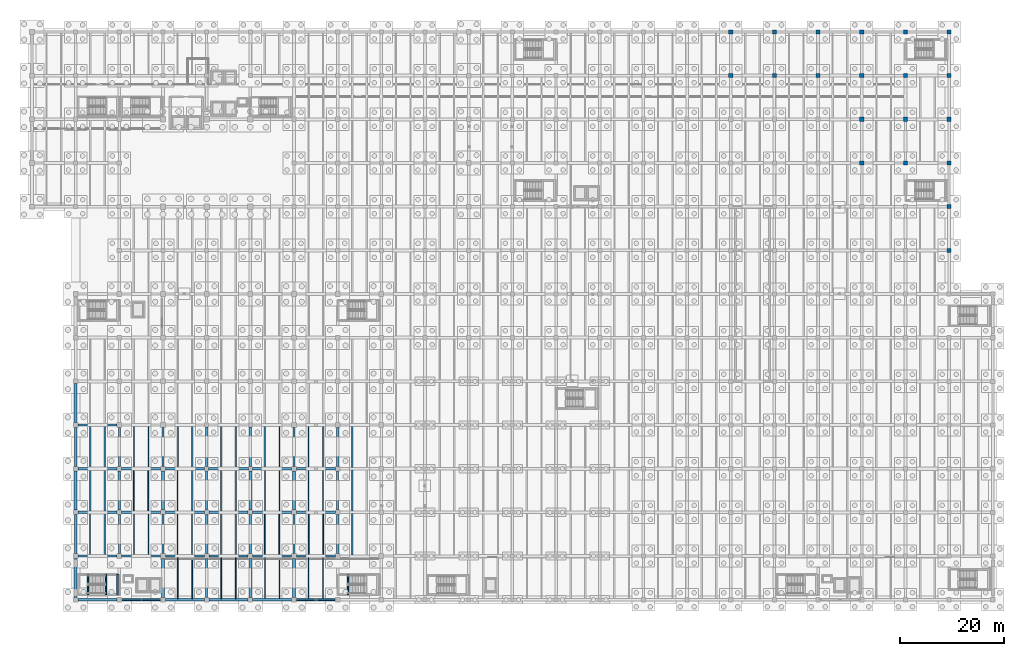
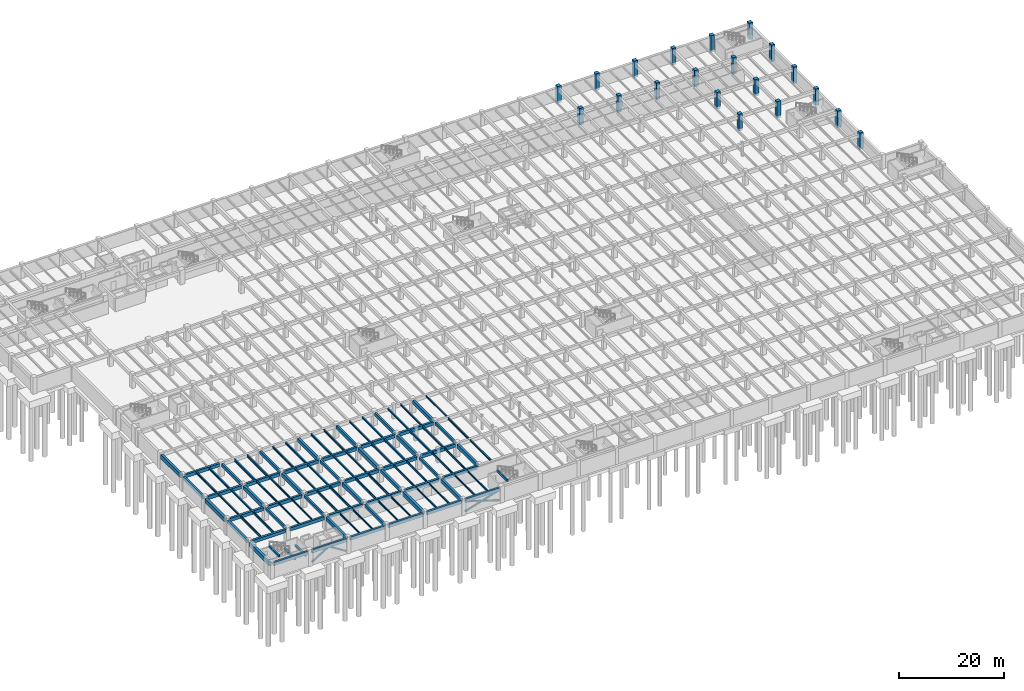
# One storey, part 24 of 70: 103 beams, 20 columns, 5 members.
"""IFC4 building model written with IfcOpenShell, lengths in metres."""

from ifc_helpers import new_model, si_unit, direction, frame, origin, origin_2d, place, context, subcontext, project, spatial, rectangle, hollow_rectangle, i_section, extrude, material, material_profile, profile_set, type_object, element, save


model = new_model("IFC4")

# Units and contexts
model_context = context("Model", 3, precision=1e-05, world=origin(), true_north=direction((0.0, 1.0)))
body_context = subcontext(model_context, "Body", "Model", "MODEL_VIEW")
ifc_project = project(units=[si_unit("LENGTHUNIT", "METRE"), si_unit("AREAUNIT", "SQUARE_METRE"), si_unit("VOLUMEUNIT", "CUBIC_METRE"), si_unit("PLANEANGLEUNIT", "RADIAN"), si_unit("MASSUNIT", "GRAM", prefix="KILO")], contexts=[model_context])

# Site, building, storey
site_placement = place(None, origin())
site = spatial("IfcSite", under=ifc_project, at=site_placement, CompositionType="ELEMENT")
building_placement = place(site_placement, origin())
building = spatial("IfcBuilding", under=site, at=building_placement, Name="Cumbredor Promenade Congress Hotel", CompositionType="ELEMENT")
storey_placement = place(building_placement, frame((0.0, 0.0, -7.56005859375)))
storey = spatial("IfcBuildingStorey", under=building, at=storey_placement, Name="B02", CompositionType="ELEMENT", Elevation=-7.56005859375)

# Columns
ifc_material_1 = material(Name="Concrete C50/60", Category="concrete")
ifc_material_profile_1 = material_profile(ifc_material_1, rectangle(XDim=0.800048828125, YDim=0.800048828125, at=origin_2d()), Name="RC 800x800")
ifc_profile_set_1 = profile_set([ifc_material_profile_1], Name="Concrete C50/60")
column_type = type_object("IfcColumnType", Name="COL-RC-800", PredefinedType="COLUMN", material=ifc_profile_set_1)
for number, where, z_axis, x_axis, name in (
    (1, (134.39990234375, 109.199951171875, -0.5), (0.0, 0.0, 1.0), (1.0, 0.0, 0.0), "B02 Structural Column 224"),
    (2, (134.39990234375, 117.60009765625, -0.5), (0.0, 0.0, 1.0), (1.0, 0.0, 0.0), "B02 Structural Column 225"),
    (3, (142.800048828125, 109.199951171875, -0.5), (0.0, 0.0, 1.0), (1.0, 0.0, 0.0), "B02 Structural Column 238"),
    (4, (142.800048828125, 117.60009765625, -0.5), (0.0, 0.0, 1.0), (1.0, 0.0, 0.0), "B02 Structural Column 239"),
    (5, (151.199951171875, 109.199951171875, -0.5), (0.0, 0.0, 1.0), (1.0, 0.0, 0.0), "B02 Structural Column 252"),
    (6, (151.199951171875, 117.60009765625, -0.5), (0.0, 0.0, 1.0), (1.0, 0.0, 0.0), "B02 Structural Column 253"),
    (7, (159.60009765625, 92.39990234375, -0.5), (0.0, 0.0, 1.0), (1.0, 0.0, 0.0), "B02 Structural Column 264"),
    (8, (159.60009765625, 100.800048828125, -0.5), (0.0, 0.0, 1.0), (1.0, 0.0, 0.0), "B02 Structural Column 265"),
    (9, (159.60009765625, 109.199951171875, -0.5), (0.0, 0.0, 1.0), (1.0, 0.0, 0.0), "B02 Structural Column 266"),
    (10, (159.60009765625, 117.60009765625, -0.5), (0.0, 0.0, 1.0), (1.0, 0.0, 0.0), "B02 Structural Column 267"),
    (11, (168.0, 92.39990234375, -0.5), (0.0, 0.0, 1.0), (1.0, 0.0, 0.0), "B02 Structural Column 278"),
    (12, (168.0, 100.800048828125, -0.5), (0.0, 0.0, 1.0), (1.0, 0.0, 0.0), "B02 Structural Column 279"),
    (13, (168.0, 109.199951171875, -0.5), (0.0, 0.0, 1.0), (1.0, 0.0, 0.0), "B02 Structural Column 280"),
    (14, (168.0, 117.60009765625, -0.5), (0.0, 0.0, 1.0), (1.0, 0.0, 0.0), "B02 Structural Column 281"),
    (15, (176.39990234375, 75.60009765625, -0.5), (0.0, 0.0, 1.0), (1.0, 0.0, 0.0), "B02 Structural Column 290"),
    (16, (176.39990234375, 84.0, -0.5), (0.0, 0.0, 1.0), (1.0, 0.0, 0.0), "B02 Structural Column 291"),
    (17, (176.39990234375, 92.39990234375, -0.5), (0.0, 0.0, 1.0), (1.0, 0.0, 0.0), "B02 Structural Column 292"),
    (18, (176.39990234375, 100.800048828125, -0.5), (0.0, 0.0, 1.0), (1.0, 0.0, 0.0), "B02 Structural Column 293"),
    (19, (176.39990234375, 109.199951171875, -0.5), (0.0, 0.0, 1.0), (1.0, 0.0, 0.0), "B02 Structural Column 294"),
    (20, (176.39990234375, 117.60009765625, -0.5), (0.0, 0.0, 1.0), (1.0, 0.0, 0.0), "B02 Structural Column 295"),
):
    element("IfcColumn", number, at=place(storey_placement, frame(where, z_axis=z_axis, x_axis=x_axis)), inside=storey, type_object=column_type, Name=name, PredefinedType="COLUMN", context=body_context, shape_type="SweptSolid", body=[
        extrude(rectangle(XDim=0.800048828125, YDim=0.800048828125, at=origin_2d()), origin(), (0.0, 0.0, 1.0), 3.860107421875),
    ])

# Beams
ifc_material_2 = material(Name="Concrete C40/50", Category="concrete")
ifc_material_profile_2 = material_profile(ifc_material_2, rectangle(XDim=0.39990234375, YDim=0.64990234375, at=origin_2d()), Name="RC BEAM 400x650")
ifc_profile_set_2 = profile_set([ifc_material_profile_2], Name="Concrete C40/50")
beam_type_1 = type_object("IfcBeamType", Name="BM-RC-400x650", PredefinedType="BEAM", material=ifc_profile_set_2)
for number, where, z_axis, x_axis, name in (
    (21, (16.800048828125, 17.25, 2.635009765625), (0.0, 1.0, 0.0), (-1.0, 0.0, 0.0), "B01 Y-Grid Beam 036"),
    (22, (16.800048828125, 34.050048828125, 2.635009765625), (0.0, 1.0, 0.0), (-1.0, 0.0, 0.0), "B01 Y-Grid Beam 040"),
    (23, (25.199951171875, 17.25, 2.635009765625), (0.0, 1.0, 0.0), (-1.0, 0.0, 0.0), "B01 Y-Grid Beam 060"),
    (24, (25.199951171875, 34.050048828125, 2.635009765625), (0.0, 1.0, 0.0), (-1.0, 0.0, 0.0), "B01 Y-Grid Beam 064"),
    (25, (33.60009765625, 8.85009765625, 2.635009765625), (0.0, 1.0, 0.0), (-1.0, 0.0, 0.0), "B01 Y-Grid Beam 080"),
):
    element("IfcBeam", number, at=place(storey_placement, frame(where, z_axis=z_axis, x_axis=x_axis)), inside=storey, type_object=beam_type_1, Name=name, PredefinedType="BEAM", context=body_context, shape_type="SweptSolid", body=[
        extrude(rectangle(XDim=0.39990234375, YDim=0.64990234375, at=origin_2d()), origin(), (0.0, 0.0, 1.0), 7.5),
    ])
beam_1_placement = place(storey_placement, frame((33.60009765625, 25.64990234375, 2.635009765625), z_axis=(0.0, 1.0, 0.0), x_axis=(-1.0, 0.0, 0.0)))
element("IfcBeam", 26, at=beam_1_placement, inside=storey, type_object=beam_type_1, Name="B01 Y-Grid Beam 084", PredefinedType="BEAM", context=body_context, shape_type="SweptSolid", body=[
    extrude(rectangle(XDim=0.39990234375, YDim=0.64990234375, at=origin_2d()), origin(), (0.0, 0.0, 1.0), 7.550048828125),
])
for number, where, z_axis, x_axis, name in (
    (27, (50.39990234375, 17.25, 2.635009765625), (0.0, 1.0, 0.0), (-1.0, 0.0, 0.0), "B01 Y-Grid Beam 128"),
    (28, (50.39990234375, 34.050048828125, 2.635009765625), (0.0, 1.0, 0.0), (-1.0, 0.0, 0.0), "B01 Y-Grid Beam 132"),
    (29, (58.800048828125, 25.64990234375, 2.635009765625), (0.0, 1.0, 0.0), (-1.0, 0.0, 0.0), "B01 Y-Grid Beam 156"),
):
    element("IfcBeam", number, at=place(storey_placement, frame(where, z_axis=z_axis, x_axis=x_axis)), inside=storey, type_object=beam_type_1, Name=name, PredefinedType="BEAM", context=body_context, shape_type="SweptSolid", body=[
        extrude(rectangle(XDim=0.39990234375, YDim=0.64990234375, at=origin_2d()), origin(), (0.0, 0.0, 1.0), 7.5),
    ])
ifc_material_profile_3 = material_profile(ifc_material_2, rectangle(XDim=0.449951171875, YDim=0.75, at=origin_2d()), Name="RC BEAM 450x750")
ifc_profile_set_3 = profile_set([ifc_material_profile_3], Name="Concrete C40/50")
beam_type_2 = type_object("IfcBeamType", Name="BM-RC-450x750", PredefinedType="BEAM", material=ifc_profile_set_3)
for number, where, z_axis, x_axis, name in (
    (30, (8.85009765625, 8.39990234375, 2.5849609375), (1.0, 0.0, 0.0), (0.0, 1.0, 0.0), "B01 X-Grid Beam 010"),
    (31, (8.85009765625, 16.800048828125, 2.5849609375), (1.0, 0.0, 0.0), (0.0, 1.0, 0.0), "B01 X-Grid Beam 012"),
    (32, (8.39990234375, 17.25, 2.5849609375), (0.0, 1.0, 0.0), (-1.0, 0.0, 0.0), "B01 Y-Grid Beam 013"),
    (33, (8.85009765625, 25.199951171875, 2.5849609375), (1.0, 0.0, 0.0), (0.0, 1.0, 0.0), "B01 X-Grid Beam 014"),
    (34, (8.85009765625, 33.60009765625, 2.5849609375), (1.0, 0.0, 0.0), (0.0, 1.0, 0.0), "B01 X-Grid Beam 016"),
    (35, (8.39990234375, 34.050048828125, 2.5849609375), (0.0, 1.0, 0.0), (-1.0, 0.0, 0.0), "B01 Y-Grid Beam 017"),
    (36, (8.85009765625, 42.0, 2.5849609375), (1.0, 0.0, 0.0), (0.0, 1.0, 0.0), "B01 X-Grid Beam 018"),
    (37, (17.25, 8.39990234375, 2.5849609375), (1.0, 0.0, 0.0), (0.0, 1.0, 0.0), "B01 X-Grid Beam 034"),
    (38, (17.25, 16.800048828125, 2.5849609375), (1.0, 0.0, 0.0), (0.0, 1.0, 0.0), "B01 X-Grid Beam 035"),
    (39, (17.25, 25.199951171875, 2.5849609375), (1.0, 0.0, 0.0), (0.0, 1.0, 0.0), "B01 X-Grid Beam 037"),
    (40, (17.25, 33.60009765625, 2.5849609375), (1.0, 0.0, 0.0), (0.0, 1.0, 0.0), "B01 X-Grid Beam 039"),
    (41, (25.64990234375, 8.39990234375, 2.5849609375), (1.0, 0.0, 0.0), (0.0, 1.0, 0.0), "B01 X-Grid Beam 057"),
    (42, (25.64990234375, 16.800048828125, 2.5849609375), (1.0, 0.0, 0.0), (0.0, 1.0, 0.0), "B01 X-Grid Beam 059"),
    (43, (25.64990234375, 25.199951171875, 2.5849609375), (1.0, 0.0, 0.0), (0.0, 1.0, 0.0), "B01 X-Grid Beam 061"),
):
    element("IfcBeam", number, at=place(storey_placement, frame(where, z_axis=z_axis, x_axis=x_axis)), inside=storey, type_object=beam_type_2, Name=name, PredefinedType="BEAM", context=body_context, shape_type="SweptSolid", body=[
        extrude(rectangle(XDim=0.449951171875, YDim=0.75, at=origin_2d()), origin(), (0.0, 0.0, 1.0), 7.5),
    ])
beam_2_placement = place(storey_placement, frame((25.64990234375, 33.60009765625, 2.5849609375), z_axis=(1.0, 0.0, 0.0), x_axis=(0.0, 1.0, 0.0)))
element("IfcBeam", 44, at=beam_2_placement, inside=storey, type_object=beam_type_2, Name="B01 X-Grid Beam 063", PredefinedType="BEAM", context=body_context, shape_type="SweptSolid", body=[
    extrude(rectangle(XDim=0.449951171875, YDim=0.75, at=origin_2d()), origin(), (0.0, 0.0, 1.0), 7.550048828125),
])
for number, where, z_axis, x_axis, name in (
    (45, (34.050048828125, 8.39990234375, 2.5849609375), (1.0, 0.0, 0.0), (0.0, 1.0, 0.0), "B01 X-Grid Beam 079"),
    (46, (34.050048828125, 16.800048828125, 2.5849609375), (1.0, 0.0, 0.0), (0.0, 1.0, 0.0), "B01 X-Grid Beam 081"),
    (47, (34.050048828125, 25.199951171875, 2.5849609375), (1.0, 0.0, 0.0), (0.0, 1.0, 0.0), "B01 X-Grid Beam 083"),
):
    element("IfcBeam", number, at=place(storey_placement, frame(where, z_axis=z_axis, x_axis=x_axis)), inside=storey, type_object=beam_type_2, Name=name, PredefinedType="BEAM", context=body_context, shape_type="SweptSolid", body=[
        extrude(rectangle(XDim=0.449951171875, YDim=0.75, at=origin_2d()), origin(), (0.0, 0.0, 1.0), 7.5),
    ])
beam_3_placement = place(storey_placement, frame((34.0, 33.60009765625, 2.5849609375), z_axis=(1.0, 0.0, 0.0), x_axis=(0.0, 1.0, 0.0)))
element("IfcBeam", 48, at=beam_3_placement, inside=storey, type_object=beam_type_2, Name="B01 X-Grid Beam 085", PredefinedType="BEAM", context=body_context, shape_type="SweptSolid", body=[
    extrude(rectangle(XDim=0.449951171875, YDim=0.75, at=origin_2d()), origin(), (0.0, 0.0, 1.0), 7.60009765625),
])
for number, where, z_axis, x_axis, name in (
    (49, (42.449951171875, 8.39990234375, 2.5849609375), (1.0, 0.0, 0.0), (0.0, 1.0, 0.0), "B01 X-Grid Beam 102"),
    (50, (42.449951171875, 16.800048828125, 2.5849609375), (1.0, 0.0, 0.0), (0.0, 1.0, 0.0), "B01 X-Grid Beam 104"),
    (51, (42.0, 17.25, 2.5849609375), (0.0, 1.0, 0.0), (-1.0, 0.0, 0.0), "B01 Y-Grid Beam 105"),
    (52, (42.449951171875, 25.199951171875, 2.5849609375), (1.0, 0.0, 0.0), (0.0, 1.0, 0.0), "B01 X-Grid Beam 106"),
):
    element("IfcBeam", number, at=place(storey_placement, frame(where, z_axis=z_axis, x_axis=x_axis)), inside=storey, type_object=beam_type_2, Name=name, PredefinedType="BEAM", context=body_context, shape_type="SweptSolid", body=[
        extrude(rectangle(XDim=0.449951171875, YDim=0.75, at=origin_2d()), origin(), (0.0, 0.0, 1.0), 7.5),
    ])
beam_4_placement = place(storey_placement, frame((42.39990234375, 33.60009765625, 2.5849609375), z_axis=(1.0, 0.0, 0.0), x_axis=(0.0, 1.0, 0.0)))
element("IfcBeam", 53, at=beam_4_placement, inside=storey, type_object=beam_type_2, Name="B01 X-Grid Beam 108", PredefinedType="BEAM", context=body_context, shape_type="SweptSolid", body=[
    extrude(rectangle(XDim=0.449951171875, YDim=0.75, at=origin_2d()), origin(), (0.0, 0.0, 1.0), 7.550048828125),
])
beam_5_placement = place(storey_placement, frame((42.0, 34.0, 2.5849609375), z_axis=(0.0, 1.0, 0.0), x_axis=(-1.0, 0.0, 0.0)))
element("IfcBeam", 54, at=beam_5_placement, inside=storey, type_object=beam_type_2, Name="B01 Y-Grid Beam 109", PredefinedType="BEAM", context=body_context, shape_type="SweptSolid", body=[
    extrude(rectangle(XDim=0.449951171875, YDim=0.75, at=origin_2d()), origin(), (0.0, 0.0, 1.0), 7.60009765625),
])
for number, where, z_axis, x_axis, name in (
    (55, (50.85009765625, 8.39990234375, 2.5849609375), (1.0, 0.0, 0.0), (0.0, 1.0, 0.0), "B01 X-Grid Beam 125"),
    (56, (50.85009765625, 16.800048828125, 2.5849609375), (1.0, 0.0, 0.0), (0.0, 1.0, 0.0), "B01 X-Grid Beam 127"),
    (57, (50.85009765625, 25.199951171875, 2.5849609375), (1.0, 0.0, 0.0), (0.0, 1.0, 0.0), "B01 X-Grid Beam 129"),
    (58, (50.85009765625, 33.60009765625, 2.5849609375), (1.0, 0.0, 0.0), (0.0, 1.0, 0.0), "B01 X-Grid Beam 131"),
):
    element("IfcBeam", number, at=place(storey_placement, frame(where, z_axis=z_axis, x_axis=x_axis)), inside=storey, type_object=beam_type_2, Name=name, PredefinedType="BEAM", context=body_context, shape_type="SweptSolid", body=[
        extrude(rectangle(XDim=0.449951171875, YDim=0.75, at=origin_2d()), origin(), (0.0, 0.0, 1.0), 7.5),
    ])
ifc_material_profile_4 = material_profile(ifc_material_2, rectangle(XDim=0.5, YDim=0.85009765625, at=origin_2d()), Name="RC BEAM 500x850")
ifc_profile_set_4 = profile_set([ifc_material_profile_4], Name="Concrete C40/50")
beam_type_3 = type_object("IfcBeamType", Name="BM-RC-500x850", PredefinedType="BEAM", material=ifc_profile_set_4)
for number, where, z_axis, x_axis, name in (
    (59, (16.800048828125, 25.64990234375, 2.53515625), (0.0, 1.0, 0.0), (-1.0, 0.0, 0.0), "B01 Y-Grid Beam 038"),
    (60, (25.199951171875, 8.85009765625, 2.53515625), (0.0, 1.0, 0.0), (-1.0, 0.0, 0.0), "B01 Y-Grid Beam 058"),
    (61, (25.199951171875, 25.64990234375, 2.53515625), (0.0, 1.0, 0.0), (-1.0, 0.0, 0.0), "B01 Y-Grid Beam 062"),
    (62, (33.60009765625, 17.25, 2.53515625), (0.0, 1.0, 0.0), (-1.0, 0.0, 0.0), "B01 Y-Grid Beam 082"),
):
    element("IfcBeam", number, at=place(storey_placement, frame(where, z_axis=z_axis, x_axis=x_axis)), inside=storey, type_object=beam_type_3, Name=name, PredefinedType="BEAM", context=body_context, shape_type="SweptSolid", body=[
        extrude(rectangle(XDim=0.5, YDim=0.85009765625, at=origin_2d()), origin(), (0.0, 0.0, 1.0), 7.5),
    ])
beam_6_placement = place(storey_placement, frame((33.60009765625, 34.0, 2.53515625), z_axis=(0.0, 1.0, 0.0), x_axis=(-1.0, 0.0, 0.0)))
element("IfcBeam", 63, at=beam_6_placement, inside=storey, type_object=beam_type_3, Name="B01 Y-Grid Beam 086", PredefinedType="BEAM", context=body_context, shape_type="SweptSolid", body=[
    extrude(rectangle(XDim=0.5, YDim=0.85009765625, at=origin_2d()), origin(), (0.0, 0.0, 1.0), 7.60009765625),
])
for number, where, z_axis, x_axis, name in (
    (64, (50.39990234375, 8.85009765625, 2.53515625), (0.0, 1.0, 0.0), (-1.0, 0.0, 0.0), "B01 Y-Grid Beam 126"),
    (65, (50.39990234375, 25.64990234375, 2.53515625), (0.0, 1.0, 0.0), (-1.0, 0.0, 0.0), "B01 Y-Grid Beam 130"),
    (66, (58.800048828125, 17.25, 2.53515625), (0.0, 1.0, 0.0), (-1.0, 0.0, 0.0), "B01 Y-Grid Beam 154"),
    (67, (58.800048828125, 34.050048828125, 2.53515625), (0.0, 1.0, 0.0), (-1.0, 0.0, 0.0), "B01 Y-Grid Beam 158"),
):
    element("IfcBeam", number, at=place(storey_placement, frame(where, z_axis=z_axis, x_axis=x_axis)), inside=storey, type_object=beam_type_3, Name=name, PredefinedType="BEAM", context=body_context, shape_type="SweptSolid", body=[
        extrude(rectangle(XDim=0.5, YDim=0.85009765625, at=origin_2d()), origin(), (0.0, 0.0, 1.0), 7.5),
    ])
ifc_material_profile_5 = material_profile(ifc_material_2, rectangle(XDim=0.550048828125, YDim=0.949951171875, at=origin_2d()), Name="RC BEAM 550x950")
ifc_profile_set_5 = profile_set([ifc_material_profile_5], Name="Concrete C40/50")
beam_type_4 = type_object("IfcBeamType", Name="BM-RC-550x950", PredefinedType="BEAM", material=ifc_profile_set_5)
for number, where, z_axis, x_axis, name in (
    (68, (8.39990234375, 8.85009765625, 2.485107421875), (0.0, 1.0, 0.0), (-1.0, 0.0, 0.0), "B01 Y-Grid Beam 011"),
    (69, (8.39990234375, 25.64990234375, 2.485107421875), (0.0, 1.0, 0.0), (-1.0, 0.0, 0.0), "B01 Y-Grid Beam 015"),
    (70, (8.39990234375, 42.449951171875, 2.485107421875), (0.0, 1.0, 0.0), (-1.0, 0.0, 0.0), "B01 Y-Grid Beam 019"),
    (71, (42.0, 8.85009765625, 2.485107421875), (0.0, 1.0, 0.0), (-1.0, 0.0, 0.0), "B01 Y-Grid Beam 103"),
):
    element("IfcBeam", number, at=place(storey_placement, frame(where, z_axis=z_axis, x_axis=x_axis)), inside=storey, type_object=beam_type_4, Name=name, PredefinedType="BEAM", context=body_context, shape_type="SweptSolid", body=[
        extrude(rectangle(XDim=0.550048828125, YDim=0.949951171875, at=origin_2d()), origin(), (0.0, 0.0, 1.0), 7.5),
    ])
beam_7_placement = place(storey_placement, frame((42.0, 25.64990234375, 2.485107421875), z_axis=(0.0, 1.0, 0.0), x_axis=(-1.0, 0.0, 0.0)))
element("IfcBeam", 72, at=beam_7_placement, inside=storey, type_object=beam_type_4, Name="B01 Y-Grid Beam 107", PredefinedType="BEAM", context=body_context, shape_type="SweptSolid", body=[
    extrude(rectangle(XDim=0.550048828125, YDim=0.949951171875, at=origin_2d()), origin(), (0.0, 0.0, 1.0), 7.550048828125),
])
ifc_material_3 = material(Name="Steel ASTM A992 Grade 50", Category="steel")
ifc_material_profile_6 = material_profile(ifc_material_3, i_section(OverallWidth=0.202880859375, OverallDepth=0.302978515625, WebThickness=0.007568359375, FlangeThickness=0.01318359375, at=origin_2d()), Name="W12X40")
ifc_profile_set_6 = profile_set([ifc_material_profile_6], Name="Steel ASTM A992 Grade 50")
beam_type_5 = type_object("IfcBeamType", Name="JST-W12X40", PredefinedType="JOIST", material=ifc_profile_set_6)
for number, where, z_axis, x_axis, name in (
    (73, (19.60009765625, 17.02490234375, 2.80859375), (0.0, 1.0, 0.0), (-1.0, 0.0, 0.0), "B01 Secondary Floor Joist 0025"),
    (74, (22.39990234375, 17.02490234375, 2.80859375), (0.0, 1.0, 0.0), (-1.0, 0.0, 0.0), "B01 Secondary Floor Joist 0026"),
):
    element("IfcBeam", number, at=place(storey_placement, frame(where, z_axis=z_axis, x_axis=x_axis)), inside=storey, type_object=beam_type_5, Name=name, PredefinedType="JOIST", context=body_context, shape_type="SweptSolid", body=[
        extrude(i_section(OverallWidth=0.202880859375, OverallDepth=0.302978515625, WebThickness=0.007568359375, FlangeThickness=0.01318359375, at=origin_2d()), origin(), (0.0, 0.0, 1.0), 7.9501953125),
    ])
for number, where, z_axis, x_axis, name in (
    (75, (44.800048828125, 8.625, 2.80859375), (0.0, 1.0, 0.0), (-1.0, 0.0, 0.0), "B01 Secondary Floor Joist 0080"),
    (76, (47.60009765625, 8.625, 2.80859375), (0.0, 1.0, 0.0), (-1.0, 0.0, 0.0), "B01 Secondary Floor Joist 0081"),
    (77, (53.199951171875, 8.625, 2.80859375), (0.0, 1.0, 0.0), (-1.0, 0.0, 0.0), "B01 Secondary Floor Joist 0100"),
    (78, (56.0, 8.625, 2.80859375), (0.0, 1.0, 0.0), (-1.0, 0.0, 0.0), "B01 Secondary Floor Joist 0101"),
    (79, (61.60009765625, 33.824951171875, 2.80859375), (0.0, 1.0, 0.0), (-1.0, 0.0, 0.0), "B01 Secondary Floor Joist 0130"),
):
    element("IfcBeam", number, at=place(storey_placement, frame(where, z_axis=z_axis, x_axis=x_axis)), inside=storey, type_object=beam_type_5, Name=name, PredefinedType="JOIST", context=body_context, shape_type="SweptSolid", body=[
        extrude(i_section(OverallWidth=0.202880859375, OverallDepth=0.302978515625, WebThickness=0.007568359375, FlangeThickness=0.01318359375, at=origin_2d()), origin(), (0.0, 0.0, 1.0), 7.949951171875),
    ])
ifc_material_profile_7 = material_profile(ifc_material_3, i_section(OverallWidth=0.2548828125, OverallDepth=0.35693359375, WebThickness=0.010498046875, FlangeThickness=0.018310546875, at=origin_2d()), Name="W14X68")
ifc_profile_set_7 = profile_set([ifc_material_profile_7], Name="Steel ASTM A992 Grade 50")
beam_type_6 = type_object("IfcBeamType", Name="JST-W14X68", PredefinedType="JOIST", material=ifc_profile_set_7)
for number, where, z_axis, x_axis, name in (
    (80, (11.199951171875, 25.425048828125, 2.781494140625), (0.0, 1.0, 0.0), (-1.0, 0.0, 0.0), "B01 Secondary Floor Joist 0011"),
    (81, (14.0, 25.425048828125, 2.781494140625), (0.0, 1.0, 0.0), (-1.0, 0.0, 0.0), "B01 Secondary Floor Joist 0012"),
    (82, (28.0, 25.425048828125, 2.781494140625), (0.0, 1.0, 0.0), (-1.0, 0.0, 0.0), "B01 Secondary Floor Joist 0046"),
    (83, (30.800048828125, 25.425048828125, 2.781494140625), (0.0, 1.0, 0.0), (-1.0, 0.0, 0.0), "B01 Secondary Floor Joist 0047"),
    (84, (36.39990234375, 25.425048828125, 2.781494140625), (0.0, 1.0, 0.0), (-1.0, 0.0, 0.0), "B01 Secondary Floor Joist 0066"),
    (85, (39.199951171875, 25.425048828125, 2.781494140625), (0.0, 1.0, 0.0), (-1.0, 0.0, 0.0), "B01 Secondary Floor Joist 0067"),
    (86, (44.800048828125, 33.824951171875, 2.781494140625), (0.0, 1.0, 0.0), (-1.0, 0.0, 0.0), "B01 Secondary Floor Joist 0086"),
    (87, (47.60009765625, 33.824951171875, 2.781494140625), (0.0, 1.0, 0.0), (-1.0, 0.0, 0.0), "B01 Secondary Floor Joist 0087"),
    (88, (53.199951171875, 33.824951171875, 2.781494140625), (0.0, 1.0, 0.0), (-1.0, 0.0, 0.0), "B01 Secondary Floor Joist 0106"),
    (89, (56.0, 33.824951171875, 2.781494140625), (0.0, 1.0, 0.0), (-1.0, 0.0, 0.0), "B01 Secondary Floor Joist 0107"),
):
    element("IfcBeam", number, at=place(storey_placement, frame(where, z_axis=z_axis, x_axis=x_axis)), inside=storey, type_object=beam_type_6, Name=name, PredefinedType="JOIST", context=body_context, shape_type="SweptSolid", body=[
        extrude(i_section(OverallWidth=0.2548828125, OverallDepth=0.35693359375, WebThickness=0.010498046875, FlangeThickness=0.018310546875, at=origin_2d()), origin(), (0.0, 0.0, 1.0), 7.949951171875),
    ])
beam_8_placement = place(storey_placement, frame((61.60009765625, 17.02490234375, 2.781494140625), z_axis=(0.0, 1.0, 0.0), x_axis=(-1.0, 0.0, 0.0)))
element("IfcBeam", 90, at=beam_8_placement, inside=storey, type_object=beam_type_6, Name="B01 Secondary Floor Joist 0126", PredefinedType="JOIST", context=body_context, shape_type="SweptSolid", body=[
    extrude(i_section(OverallWidth=0.2548828125, OverallDepth=0.35693359375, WebThickness=0.010498046875, FlangeThickness=0.018310546875, at=origin_2d()), origin(), (0.0, 0.0, 1.0), 7.9501953125),
])
ifc_material_profile_8 = material_profile(ifc_material_3, i_section(OverallWidth=0.180908203125, OverallDepth=0.4169921875, WebThickness=0.010986328125, FlangeThickness=0.018310546875, at=origin_2d()), Name="W16X57")
ifc_profile_set_8 = profile_set([ifc_material_profile_8], Name="Steel ASTM A992 Grade 50")
beam_type_7 = type_object("IfcBeamType", Name="JST-W16X57", PredefinedType="JOIST", material=ifc_profile_set_8)
for number, where, z_axis, x_axis, name in (
    (91, (19.60009765625, 25.425048828125, 2.75146484375), (0.0, 1.0, 0.0), (-1.0, 0.0, 0.0), "B01 Secondary Floor Joist 0027"),
    (92, (22.39990234375, 25.425048828125, 2.75146484375), (0.0, 1.0, 0.0), (-1.0, 0.0, 0.0), "B01 Secondary Floor Joist 0028"),
    (93, (28.0, 8.625, 2.75146484375), (0.0, 1.0, 0.0), (-1.0, 0.0, 0.0), "B01 Secondary Floor Joist 0042"),
    (94, (30.800048828125, 8.625, 2.75146484375), (0.0, 1.0, 0.0), (-1.0, 0.0, 0.0), "B01 Secondary Floor Joist 0043"),
    (95, (36.39990234375, 8.625, 2.75146484375), (0.0, 1.0, 0.0), (-1.0, 0.0, 0.0), "B01 Secondary Floor Joist 0062"),
    (96, (39.199951171875, 8.625, 2.75146484375), (0.0, 1.0, 0.0), (-1.0, 0.0, 0.0), "B01 Secondary Floor Joist 0063"),
):
    element("IfcBeam", number, at=place(storey_placement, frame(where, z_axis=z_axis, x_axis=x_axis)), inside=storey, type_object=beam_type_7, Name=name, PredefinedType="JOIST", context=body_context, shape_type="SweptSolid", body=[
        extrude(i_section(OverallWidth=0.180908203125, OverallDepth=0.4169921875, WebThickness=0.010986328125, FlangeThickness=0.018310546875, at=origin_2d()), origin(), (0.0, 0.0, 1.0), 7.949951171875),
    ])
for number, where, z_axis, x_axis, name in (
    (97, (44.800048828125, 17.02490234375, 2.75146484375), (0.0, 1.0, 0.0), (-1.0, 0.0, 0.0), "B01 Secondary Floor Joist 0082"),
    (98, (47.60009765625, 17.02490234375, 2.75146484375), (0.0, 1.0, 0.0), (-1.0, 0.0, 0.0), "B01 Secondary Floor Joist 0083"),
    (99, (53.199951171875, 17.02490234375, 2.75146484375), (0.0, 1.0, 0.0), (-1.0, 0.0, 0.0), "B01 Secondary Floor Joist 0102"),
    (100, (56.0, 17.02490234375, 2.75146484375), (0.0, 1.0, 0.0), (-1.0, 0.0, 0.0), "B01 Secondary Floor Joist 0103"),
):
    element("IfcBeam", number, at=place(storey_placement, frame(where, z_axis=z_axis, x_axis=x_axis)), inside=storey, type_object=beam_type_7, Name=name, PredefinedType="JOIST", context=body_context, shape_type="SweptSolid", body=[
        extrude(i_section(OverallWidth=0.180908203125, OverallDepth=0.4169921875, WebThickness=0.010986328125, FlangeThickness=0.018310546875, at=origin_2d()), origin(), (0.0, 0.0, 1.0), 7.9501953125),
    ])
ifc_material_profile_9 = material_profile(ifc_material_3, i_section(OverallWidth=0.280029296875, OverallDepth=0.462890625, WebThickness=0.0107421875, FlangeThickness=0.017333984375, at=origin_2d()), Name="W18X76")
ifc_profile_set_9 = profile_set([ifc_material_profile_9], Name="Steel ASTM A992 Grade 50")
beam_type_8 = type_object("IfcBeamType", Name="JST-W18X76", PredefinedType="JOIST", material=ifc_profile_set_9)
for number, where, z_axis, x_axis, name in (
    (101, (11.199951171875, 33.824951171875, 2.728515625), (0.0, 1.0, 0.0), (-1.0, 0.0, 0.0), "B01 Secondary Floor Joist 0013"),
    (102, (14.0, 33.824951171875, 2.728515625), (0.0, 1.0, 0.0), (-1.0, 0.0, 0.0), "B01 Secondary Floor Joist 0014"),
    (103, (28.0, 33.824951171875, 2.728515625), (0.0, 1.0, 0.0), (-1.0, 0.0, 0.0), "B01 Secondary Floor Joist 0048"),
    (104, (30.800048828125, 33.824951171875, 2.728515625), (0.0, 1.0, 0.0), (-1.0, 0.0, 0.0), "B01 Secondary Floor Joist 0049"),
    (105, (36.39990234375, 33.824951171875, 2.728515625), (0.0, 1.0, 0.0), (-1.0, 0.0, 0.0), "B01 Secondary Floor Joist 0068"),
    (106, (39.199951171875, 33.824951171875, 2.728515625), (0.0, 1.0, 0.0), (-1.0, 0.0, 0.0), "B01 Secondary Floor Joist 0069"),
    (107, (61.60009765625, 25.425048828125, 2.728515625), (0.0, 1.0, 0.0), (-1.0, 0.0, 0.0), "B01 Secondary Floor Joist 0128"),
):
    element("IfcBeam", number, at=place(storey_placement, frame(where, z_axis=z_axis, x_axis=x_axis)), inside=storey, type_object=beam_type_8, Name=name, PredefinedType="JOIST", context=body_context, shape_type="SweptSolid", body=[
        extrude(i_section(OverallWidth=0.280029296875, OverallDepth=0.462890625, WebThickness=0.0107421875, FlangeThickness=0.017333984375, at=origin_2d()), origin(), (0.0, 0.0, 1.0), 7.949951171875),
    ])
ifc_material_profile_10 = material_profile(ifc_material_3, i_section(OverallWidth=0.214111328125, OverallDepth=0.549072265625, WebThickness=0.0146484375, FlangeThickness=0.023681640625, at=origin_2d()), Name="W21X93")
ifc_profile_set_10 = profile_set([ifc_material_profile_10], Name="Steel ASTM A992 Grade 50")
beam_type_9 = type_object("IfcBeamType", Name="JST-W21X93", PredefinedType="JOIST", material=ifc_profile_set_10)
for number, where, z_axis, x_axis, name in (
    (108, (11.199951171875, 17.02490234375, 2.685546875), (0.0, 1.0, 0.0), (-1.0, 0.0, 0.0), "B01 Secondary Floor Joist 0009"),
    (109, (14.0, 17.02490234375, 2.685546875), (0.0, 1.0, 0.0), (-1.0, 0.0, 0.0), "B01 Secondary Floor Joist 0010"),
):
    element("IfcBeam", number, at=place(storey_placement, frame(where, z_axis=z_axis, x_axis=x_axis)), inside=storey, type_object=beam_type_9, Name=name, PredefinedType="JOIST", context=body_context, shape_type="SweptSolid", body=[
        extrude(i_section(OverallWidth=0.214111328125, OverallDepth=0.549072265625, WebThickness=0.0146484375, FlangeThickness=0.023681640625, at=origin_2d()), origin(), (0.0, 0.0, 1.0), 7.9501953125),
    ])
for number, where, z_axis, x_axis, name in (
    (110, (19.60009765625, 33.824951171875, 2.685546875), (0.0, 1.0, 0.0), (-1.0, 0.0, 0.0), "B01 Secondary Floor Joist 0029"),
    (111, (22.39990234375, 33.824951171875, 2.685546875), (0.0, 1.0, 0.0), (-1.0, 0.0, 0.0), "B01 Secondary Floor Joist 0030"),
):
    element("IfcBeam", number, at=place(storey_placement, frame(where, z_axis=z_axis, x_axis=x_axis)), inside=storey, type_object=beam_type_9, Name=name, PredefinedType="JOIST", context=body_context, shape_type="SweptSolid", body=[
        extrude(i_section(OverallWidth=0.214111328125, OverallDepth=0.549072265625, WebThickness=0.0146484375, FlangeThickness=0.023681640625, at=origin_2d()), origin(), (0.0, 0.0, 1.0), 7.949951171875),
    ])
for number, where, z_axis, x_axis, name in (
    (112, (28.0, 17.02490234375, 2.685546875), (0.0, 1.0, 0.0), (-1.0, 0.0, 0.0), "B01 Secondary Floor Joist 0044"),
    (113, (30.800048828125, 17.02490234375, 2.685546875), (0.0, 1.0, 0.0), (-1.0, 0.0, 0.0), "B01 Secondary Floor Joist 0045"),
    (114, (36.39990234375, 17.02490234375, 2.685546875), (0.0, 1.0, 0.0), (-1.0, 0.0, 0.0), "B01 Secondary Floor Joist 0064"),
    (115, (39.199951171875, 17.02490234375, 2.685546875), (0.0, 1.0, 0.0), (-1.0, 0.0, 0.0), "B01 Secondary Floor Joist 0065"),
):
    element("IfcBeam", number, at=place(storey_placement, frame(where, z_axis=z_axis, x_axis=x_axis)), inside=storey, type_object=beam_type_9, Name=name, PredefinedType="JOIST", context=body_context, shape_type="SweptSolid", body=[
        extrude(i_section(OverallWidth=0.214111328125, OverallDepth=0.549072265625, WebThickness=0.0146484375, FlangeThickness=0.023681640625, at=origin_2d()), origin(), (0.0, 0.0, 1.0), 7.9501953125),
    ])
for number, where, z_axis, x_axis, name in (
    (116, (44.800048828125, 25.425048828125, 2.685546875), (0.0, 1.0, 0.0), (-1.0, 0.0, 0.0), "B01 Secondary Floor Joist 0084"),
    (117, (47.60009765625, 25.425048828125, 2.685546875), (0.0, 1.0, 0.0), (-1.0, 0.0, 0.0), "B01 Secondary Floor Joist 0085"),
    (118, (53.199951171875, 25.425048828125, 2.685546875), (0.0, 1.0, 0.0), (-1.0, 0.0, 0.0), "B01 Secondary Floor Joist 0104"),
    (119, (56.0, 25.425048828125, 2.685546875), (0.0, 1.0, 0.0), (-1.0, 0.0, 0.0), "B01 Secondary Floor Joist 0105"),
):
    element("IfcBeam", number, at=place(storey_placement, frame(where, z_axis=z_axis, x_axis=x_axis)), inside=storey, type_object=beam_type_9, Name=name, PredefinedType="JOIST", context=body_context, shape_type="SweptSolid", body=[
        extrude(i_section(OverallWidth=0.214111328125, OverallDepth=0.549072265625, WebThickness=0.0146484375, FlangeThickness=0.023681640625, at=origin_2d()), origin(), (0.0, 0.0, 1.0), 7.949951171875),
    ])
ifc_material_profile_11 = material_profile(ifc_material_2, rectangle(XDim=0.300048828125, YDim=0.5, at=origin_2d()), Name="RC LINTEL 300x500")
ifc_profile_set_11 = profile_set([ifc_material_profile_11], Name="Concrete C40/50")
beam_type_10 = type_object("IfcBeamType", Name="LN-RC-300x500", PredefinedType="LINTEL", material=ifc_profile_set_11)
for number, where, z_axis, x_axis, name in (
    (120, (16.5, 9.330078125, 1.22998046875), (0.0, 1.0, 0.0), (-1.0, 0.0, 0.0), "B02 Stair ST-04 Landing Ledger Beam E"),
    (121, (14.199951171875, 9.330078125, 1.22998046875), (0.0, 1.0, 0.0), (-1.0, 0.0, 0.0), "B02 Stair ST-04 Landing Ledger Beam W"),
    (122, (10.75, 9.330078125, 3.110107421875), (0.0, 1.0, 0.0), (-1.0, 0.0, 0.0), "B01 Stair ST-04 Well Header Trimmer Beam"),
    (123, (60.75, 9.330078125, 3.110107421875), (0.0, 1.0, 0.0), (-1.0, 0.0, 0.0), "B01 Stair ST-05 Well Header Trimmer Beam"),
):
    element("IfcBeam", number, at=place(storey_placement, frame(where, z_axis=z_axis, x_axis=x_axis)), inside=storey, type_object=beam_type_10, Name=name, PredefinedType="LINTEL", context=body_context, shape_type="SweptSolid", body=[
        extrude(rectangle(XDim=0.300048828125, YDim=0.5, at=origin_2d()), origin(), (0.0, 0.0, 1.0), 3.969970703125),
    ])

# Members
ifc_material_4 = material(Name="Steel ASTM A500 Grade C", Category="steel")
ifc_material_profile_12 = material_profile(ifc_material_4, hollow_rectangle(XDim=0.300048828125, YDim=0.300048828125, WallThickness=0.01611328125, at=origin_2d()), Name="HSS 300x300x16")
ifc_profile_set_12 = profile_set([ifc_material_profile_12], Name="Steel ASTM A500 Grade C")
member_type = type_object("IfcMemberType", Name="Seismic Frame Brace CBF-1", PredefinedType="BRACE", material=ifc_profile_set_12)
for number, where, z_axis, x_axis, name in (
    (124, (17.25, 8.39990234375, 0.0), (0.847353037846, 0.0, 0.531029970202), (0.0, 1.0, 0.0), "B02 Chevron Seismic Brace 1A"),
    (125, (24.75, 8.39990234375, 0.0), (-0.847353037846, 0.0, 0.531029970202), (0.0, -1.0, 0.0), "B02 Chevron Seismic Brace 1B"),
):
    element("IfcMember", number, at=place(storey_placement, frame(where, z_axis=z_axis, x_axis=x_axis)), inside=storey, type_object=member_type, Name=name, PredefinedType="BRACE", context=body_context, shape_type="SweptSolid", body=[
        extrude(hollow_rectangle(XDim=0.300048828125, YDim=0.300048828125, WallThickness=0.01611328125, at=origin_2d()), origin(), (0.0, 0.0, 1.0), 4.425537109375),
    ])
member_placement = place(storey_placement, frame((50.85009765625, 8.39990234375, 0.0), z_axis=(0.954249763262, 0.0, 0.299010684282), x_axis=(0.0, 1.0, 0.0)))
element("IfcMember", 126, at=member_placement, inside=storey, type_object=member_type, Name="B02 X-Brace Continuous Diagonal 2A", PredefinedType="BRACE", context=body_context, shape_type="SweptSolid", body=[
    extrude(hollow_rectangle(XDim=0.300048828125, YDim=0.300048828125, WallThickness=0.01611328125, at=origin_2d()), origin(), (0.0, 0.0, 1.0), 7.859619140625),
])
for number, where, z_axis, x_axis, name in (
    (127, (58.35009765625, 8.39990234375, 0.0), (-0.954251294735, 0.0, 0.299005796762), (0.0, -1.0, 0.0), "B02 X-Brace Lower Split Diagonal 2B1"),
    (128, (54.37109375, 8.39990234375, 1.246826171875), (-0.954251294735, 0.0, 0.299005796762), (0.0, -1.0, 0.0), "B02 X-Brace Upper Split Diagonal 2B2"),
):
    element("IfcMember", number, at=place(storey_placement, frame(where, z_axis=z_axis, x_axis=x_axis)), inside=storey, type_object=member_type, Name=name, PredefinedType="BRACE", context=body_context, shape_type="SweptSolid", body=[
        extrude(hollow_rectangle(XDim=0.300048828125, YDim=0.300048828125, WallThickness=0.01611328125, at=origin_2d()), origin(), (0.0, 0.0, 1.0), 3.689697265625),
    ])

save(model, "model.ifc")
